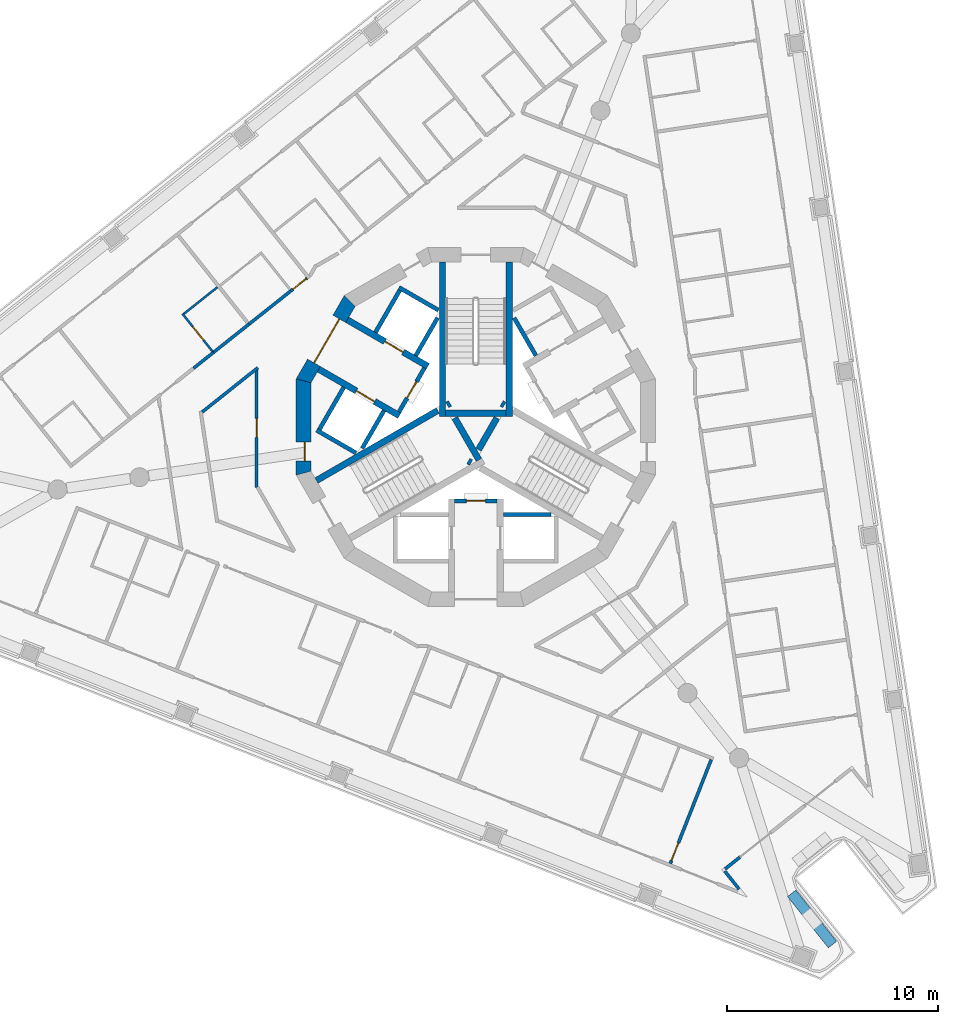
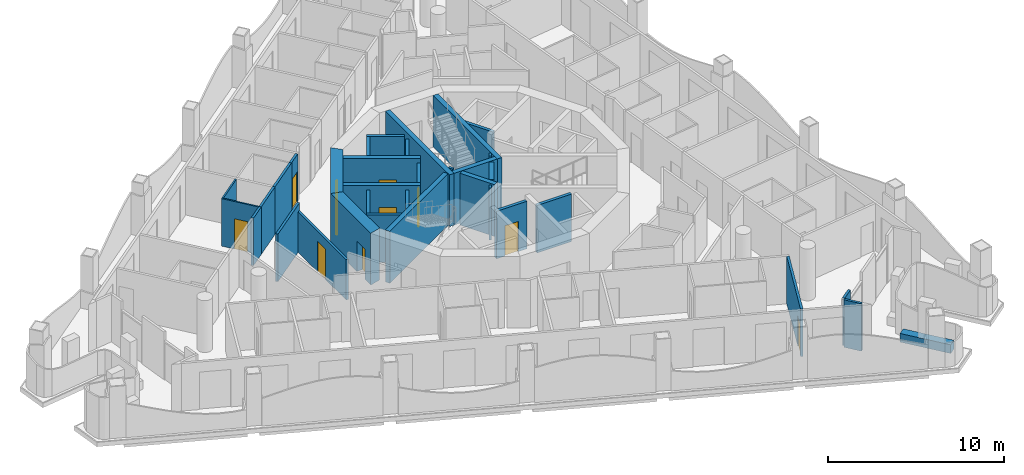
# One storey, part 4 of 17: 35 walls, 10 doors, 10 openings.
"""IFC4 building model written with IfcOpenShell, lengths in metres."""

from ifc_helpers import new_model, si_unit, direction, frame, frame_2d, origin, place, context, subcontext, project, spatial, polyline, rectangle, outline, extrude, material, layer, layer_set, type_object, element, fill, save


model = new_model("IFC4")

# Units and contexts
model_context = context("Model", 3, precision=1e-05, world=origin(), true_north=direction((0.0, 1.0)))
body_context = subcontext(model_context, "Body", "Model", "MODEL_VIEW")
ifc_project = project(units=[si_unit("LENGTHUNIT", "METRE"), si_unit("AREAUNIT", "SQUARE_METRE"), si_unit("VOLUMEUNIT", "CUBIC_METRE"), si_unit("PLANEANGLEUNIT", "RADIAN"), si_unit("MASSUNIT", "GRAM", prefix="KILO")], contexts=[model_context])

# Site, building, storey
site_placement = place(None, origin())
site = spatial("IfcSite", under=ifc_project, at=site_placement, CompositionType="ELEMENT")
building_placement = place(site_placement, origin())
building = spatial("IfcBuilding", under=site, at=building_placement, Name="Trine Commons Tower", CompositionType="ELEMENT")
storey_placement = place(building_placement, frame((0.0, 0.0, 212.39990234375)))
storey = spatial("IfcBuildingStorey", under=building, at=storey_placement, Name="L55", CompositionType="ELEMENT", Elevation=212.39990234375)

# Walls
ifc_material_1 = material(Name="Aluminium-framed insulated wall panel", Category="aluminium")
ifc_layer_1 = layer(ifc_material_1, 0.14990234375)
ifc_layer_set_1 = layer_set([ifc_layer_1], Name="Aluminium-framed insulated wall panel")
wall_type_1 = type_object("IfcWallType", Name="Glazed frame wall 150, EI 60", PredefinedType="SOLIDWALL", material=ifc_layer_set_1)
wall_1_placement = place(storey_placement, frame((92.493896484375, 42.134521484375, 0.0), z_axis=(0.0, 0.0, 1.0), x_axis=(-0.782628082779, -0.622489585492, 0.0)))
element("IfcWall", 1, at=wall_1_placement, inside=storey, type_object=wall_type_1, Name="Glazed frame wall P2.5", PredefinedType="SOLIDWALL", context=body_context, shape_type="SweptSolid", body=[
    extrude(outline(polyline([(0.889892578125, 0.074951171875), (0.0, 0.074951171875), (0.0, -0.074951171875), (0.889892578125, -0.074951171875), (0.889892578125, 0.074951171875)])), origin(), (0.0, 0.0, 1.0), 3.300048828125),
])
wall_2_placement = place(storey_placement, frame((91.716796875, 41.56103515625, 0.0), z_axis=(0.0, 0.0, 1.0), x_axis=(0.622611995912, -0.7825307039, 0.0)))
element("IfcWall", 2, at=wall_2_placement, inside=storey, type_object=wall_type_1, Name="Glazed frame wall R8", PredefinedType="SOLIDWALL", context=body_context, shape_type="SweptSolid", body=[
    extrude(outline(polyline([(0.110107421875, 0.074951171875), (0.110107421875, -0.074951171875), (1.19580078125, -0.074951171875), (1.19580078125, 0.074951171875), (0.110107421875, 0.074951171875)])), origin(), (0.0, 0.0, 1.0), 3.300048828125),
])

# Wall, opening, door
ifc_material_2 = material(Name="Fire-rated gypsum shaft wall system")
ifc_layer_2 = layer(ifc_material_2, 0.199951171875)
ifc_layer_set_2 = layer_set([ifc_layer_2], Name="Fire-rated gypsum shaft wall system")
wall_type_2 = type_object("IfcWallType", Name="Lobby end wall 200 mm, EI 120", PredefinedType="PARTITIONING", material=ifc_layer_set_2)
wall_3_placement = place(storey_placement, frame((77.569091796875, 65.2890625, 0.0), z_axis=(0.0, 0.0, 1.0), x_axis=(-0.50012165622, -0.865955154139, 0.0)))
wall_3 = element("IfcWall", 3, at=wall_3_placement, inside=storey, type_object=wall_type_2, Name="Lobby end wall L55", PredefinedType="PARTITIONING", context=body_context, shape_type="SweptSolid", body=[
    extrude(rectangle(XDim=2.39990234375, YDim=0.199951171875, at=frame_2d((1.199951171875, 0.0))), origin(), (0.0, 0.0, 1.0), 3.300048828125),
])
opening_1_placement = place(wall_3_placement, frame((0.749755859375, 0.0, 0.0)))
opening_1 = element("IfcOpeningElement", 4, at=opening_1_placement, cuts=wall_3, Name="Opening K15.07", PredefinedType="OPENING", context=body_context, shape_type="SweptSolid", body=[
    extrude(rectangle(XDim=0.89990234375, YDim=2.10009765625, at=frame_2d((0.449951171875, 1.050048828125))), frame((0.0, 0.10986328125, 0.0), z_axis=(0.0, -1.0, 0.0), x_axis=(1.0, 0.0, 0.0)), (0.0, 0.0, 1.0), 0.219970703125),
])
ifc_material_3 = material(Name="Steel door leaf, fire-rated", Category="steel")
door_type_1 = type_object("IfcDoorType", Name="Riser access door, single leaf 900 x 2100, FD60", OperationType="SINGLE_SWING_LEFT", PredefinedType="DOOR", material=ifc_material_3)
door_1_placement = place(opening_1_placement, frame((0.89990234375, 0.0, 0.0), z_axis=(0.0, 0.0, 1.0), x_axis=(-1.0, 0.0, 0.0)))
door_1 = element("IfcDoor", 5, at=door_1_placement, inside=storey, type_object=door_type_1, Name="Riser door, Mechanical riser L55", OperationType="SINGLE_SWING_RIGHT", OverallHeight=2.10009765625, OverallWidth=0.89990234375, PredefinedType="DOOR", context=body_context, shape_type="SweptSolid", body=[
    extrude(rectangle(XDim=0.89990234375, YDim=2.10009765625, at=frame_2d((0.449951171875, 1.050048828125))), frame((0.0, 0.02490234375, 0.0), z_axis=(0.0, -1.0, 0.0), x_axis=(1.0, 0.0, 0.0)), (0.0, 0.0, 1.0), 0.050048828125),
])
fill(opening_1, door_1)

wall_4_placement = place(storey_placement, frame((79.0, 59.0, 0.0), z_axis=(0.0, 0.0, 1.0), x_axis=(1.0, 0.0, 0.0)))
wall_4 = element("IfcWall", 6, at=wall_4_placement, inside=storey, type_object=wall_type_2, Name="Lobby end wall L55", PredefinedType="PARTITIONING", context=body_context, shape_type="SweptSolid", body=[
    extrude(rectangle(XDim=2.0, YDim=0.199951171875, at=frame_2d((1.0, 0.0))), origin(), (0.0, 0.0, 1.0), 3.300048828125),
])
opening_2_placement = place(wall_4_placement, frame((0.550048828125, 0.0, 0.0)))
opening_2 = element("IfcOpeningElement", 7, at=opening_2_placement, cuts=wall_4, Name="Opening K15.09", PredefinedType="OPENING", context=body_context, shape_type="SweptSolid", body=[
    extrude(rectangle(XDim=0.89990234375, YDim=2.10009765625, at=frame_2d((0.449951171875, 1.050048828125))), frame((0.0, 0.10986328125, 0.0), z_axis=(0.0, -1.0, 0.0), x_axis=(1.0, 0.0, 0.0)), (0.0, 0.0, 1.0), 0.219970703125),
])
door_2_placement = place(opening_2_placement, frame((0.89990234375, 0.0, 0.0), z_axis=(0.0, 0.0, 1.0), x_axis=(-1.0, 0.0, 0.0)))
door_2 = element("IfcDoor", 8, at=door_2_placement, inside=storey, type_object=door_type_1, Name="Riser door, Communications riser L55", OperationType="SINGLE_SWING_RIGHT", OverallHeight=2.10009765625, OverallWidth=0.89990234375, PredefinedType="DOOR", context=body_context, shape_type="SweptSolid", body=[
    extrude(rectangle(XDim=0.89990234375, YDim=2.10009765625, at=frame_2d((0.449951171875, 1.050048828125))), frame((0.0, 0.02490234375, 0.0), z_axis=(0.0, -1.0, 0.0), x_axis=(1.0, 0.0, 0.0)), (0.0, 0.0, 1.0), 0.050048828125),
])
fill(opening_2, door_2)

# Wall
ifc_material_4 = material(Name="Planter trough, precast concrete C40/50", Category="concrete")
ifc_layer_3 = layer(ifc_material_4, 0.5)
ifc_layer_set_3 = layer_set([ifc_layer_3], Name="Planter trough, precast concrete C40/50")
wall_type_3 = type_object("IfcWallType", Name="Planter trough 500x600", PredefinedType="PARAPET", material=ifc_layer_set_3)
wall_5_placement = place(storey_placement, frame((94.950439453125, 40.427490234375, 0.0), z_axis=(0.0, 0.0, 1.0), x_axis=(0.622550971161, -0.782579253691, 0.0)))
element("IfcWall", 9, at=wall_5_placement, inside=storey, type_object=wall_type_3, Name="Planter 9", PredefinedType="PARAPET", context=body_context, shape_type="SweptSolid", body=[
    extrude(rectangle(XDim=3.10009765625, YDim=0.5, at=frame_2d((1.550048828125, 0.0))), origin(), (0.0, 0.0, 1.0), 0.60009765625),
])

# Wall, opening, door
ifc_material_5 = material(Name="Concrete C60/75", Category="concrete")
ifc_layer_4 = layer(ifc_material_5, 0.300048828125)
ifc_layer_set_4 = layer_set([ifc_layer_4], Name="Concrete C60/75")
wall_type_4 = type_object("IfcWallType", Name="RC shear wall 300 mm, C60/75", PredefinedType="SHEAR", material=ifc_layer_set_4)
wall_6_placement = place(storey_placement, frame((76.381103515625, 63.031005859375, 0.0), z_axis=(0.0, 0.0, 1.0), x_axis=(-0.866059941101, 0.499940174841, 0.0)))
wall_6 = element("IfcWall", 10, at=wall_6_placement, inside=storey, type_object=wall_type_4, Name="Core cross wall SWC-01 L55", PredefinedType="SHEAR", context=body_context, shape_type="SweptSolid", body=[
    extrude(rectangle(XDim=4.400390625, YDim=0.300048828125, at=frame_2d((2.2001953125, 0.0))), origin(), (0.0, 0.0, 1.0), 3.60009765625),
])
opening_3_placement = place(wall_6_placement, frame((1.350341796875, 0.0, 0.0)))
opening_3 = element("IfcOpeningElement", 11, at=opening_3_placement, cuts=wall_6, Name="Opening LD7", PredefinedType="OPENING", context=body_context, shape_type="SweptSolid", body=[
    extrude(rectangle(XDim=1.0, YDim=2.10009765625, at=frame_2d((0.5, 1.050048828125))), frame((0.0, 0.159912109375, 0.0), z_axis=(0.0, -1.0, 0.0), x_axis=(1.0, 0.0, 0.0)), (0.0, 0.0, 1.0), 0.320068359375),
])
ifc_material_6 = material(Name="Stainless steel sliding door leaves", Category="steel")
door_type_2 = type_object("IfcDoorType", Name="Lift landing door, centre-opening sliding 1000 x 2100, FD90", OperationType="DOUBLE_DOOR_SLIDING", PredefinedType="DOOR", material=ifc_material_6)
door_3_placement = place(opening_3_placement, origin())
door_3 = element("IfcDoor", 12, at=door_3_placement, inside=storey, type_object=door_type_2, Name="Lift landing door HR3 L55", OperationType="DOUBLE_DOOR_SLIDING", OverallHeight=2.10009765625, OverallWidth=1.0, PredefinedType="DOOR", context=body_context, shape_type="SweptSolid", body=[
    extrude(rectangle(XDim=1.0, YDim=2.10009765625, at=frame_2d((0.5, 1.050048828125))), frame((0.0, 0.02490234375, 0.0), z_axis=(0.0, -1.0, 0.0), x_axis=(1.0, 0.0, 0.0)), (0.0, 0.0, 1.0), 0.050048828125),
])
fill(opening_3, door_3)

wall_7_placement = place(storey_placement, frame((77.73095703125, 65.368896484375, 0.0), z_axis=(0.0, 0.0, 1.0), x_axis=(-0.866035918664, 0.499981787252, 0.0)))
wall_7 = element("IfcWall", 13, at=wall_7_placement, inside=storey, type_object=wall_type_4, Name="Core cross wall SWC-02 L55", PredefinedType="SHEAR", context=body_context, shape_type="SweptSolid", body=[
    extrude(rectangle(XDim=4.400634765625, YDim=0.300048828125, at=frame_2d((2.2001953125, 0.0))), origin(), (0.0, 0.0, 1.0), 3.60009765625),
])
opening_4_placement = place(wall_7_placement, frame((1.3505859375, 0.0, 0.0)))
opening_4 = element("IfcOpeningElement", 14, at=opening_4_placement, cuts=wall_7, Name="Opening LD8", PredefinedType="OPENING", context=body_context, shape_type="SweptSolid", body=[
    extrude(rectangle(XDim=1.0, YDim=2.10009765625, at=frame_2d((0.5, 1.050048828125))), frame((0.0, 0.159912109375, 0.0), z_axis=(0.0, -1.0, 0.0), x_axis=(1.0, 0.0, 0.0)), (0.0, 0.0, 1.0), 0.320068359375),
])
door_4_placement = place(opening_4_placement, origin())
door_4 = element("IfcDoor", 15, at=door_4_placement, inside=storey, type_object=door_type_2, Name="Lift landing door HR4 L55", OperationType="DOUBLE_DOOR_SLIDING", OverallHeight=2.10009765625, OverallWidth=1.0, PredefinedType="DOOR", context=body_context, shape_type="SweptSolid", body=[
    extrude(rectangle(XDim=1.0, YDim=2.10009765625, at=frame_2d((0.5, 1.050048828125))), frame((0.0, 0.02490234375, 0.0), z_axis=(0.0, -1.0, 0.0), x_axis=(1.0, 0.0, 0.0)), (0.0, 0.0, 1.0), 0.050048828125),
])
fill(opening_4, door_4)

# Walls
wall_8_placement = place(storey_placement, frame((78.199951171875, 63.280029296875, 0.0), z_axis=(0.0, 0.0, 1.0), x_axis=(-0.866009627307, -0.500027324665, 0.0)))
element("IfcWall", 16, at=wall_8_placement, inside=storey, type_object=wall_type_4, Name="Core cross wall SWC-07 L55", PredefinedType="SHEAR", context=body_context, shape_type="SweptSolid", body=[
    extrude(rectangle(XDim=6.631591796875, YDim=0.300048828125, at=frame_2d((3.31591796875, 0.0))), origin(), (0.0, 0.0, 1.0), 3.60009765625),
])
wall_9_placement = place(storey_placement, frame((78.425048828125, 63.0009765625, 0.0), z_axis=(0.0, 0.0, 1.0), x_axis=(0.0, 1.0, 0.0)))
element("IfcWall", 17, at=wall_9_placement, inside=storey, type_object=wall_type_4, Name="Core cross wall SWC-08 L55", PredefinedType="SHEAR", context=body_context, shape_type="SweptSolid", body=[
    extrude(rectangle(XDim=7.299072265625, YDim=0.300048828125, at=frame_2d((3.6494140625, 0.0))), origin(), (0.0, 0.0, 1.0), 3.60009765625),
])
wall_10_placement = place(storey_placement, frame((78.779052734375, 63.614013671875, 0.0), z_axis=(0.0, 0.0, 1.0), x_axis=(-0.867737973955, -0.497021939713, 0.0)))
element("IfcWall", 18, at=wall_10_placement, inside=storey, type_object=wall_type_4, Name="Core cross wall SWC-09 L55", PredefinedType="SHEAR", context=body_context, shape_type="SweptSolid", body=[
    extrude(rectangle(XDim=0.14892578125, YDim=0.300048828125, at=frame_2d((0.074462890625, 0.0))), origin(), (0.0, 0.0, 1.0), 3.60009765625),
])
wall_11_placement = place(storey_placement, frame((79.0029296875, 62.926025390625, 0.0), z_axis=(0.0, 0.0, 1.0), x_axis=(0.499965247104, -0.866045467449, 0.0)))
element("IfcWall", 19, at=wall_11_placement, inside=storey, type_object=wall_type_4, Name="Core cross wall SWC-10 L55", PredefinedType="SHEAR", context=body_context, shape_type="SweptSolid", body=[
    extrude(rectangle(XDim=2.292236328125, YDim=0.300048828125, at=frame_2d((1.14599609375, 0.0))), origin(), (0.0, 0.0, 1.0), 3.60009765625),
])
wall_12_placement = place(storey_placement, frame((79.64599609375, 60.885986328125, 0.0), z_axis=(0.0, 0.0, 1.0), x_axis=(0.867331893649, -0.497730234424, 0.0)))
element("IfcWall", 20, at=wall_12_placement, inside=storey, type_object=wall_type_4, Name="Core cross wall SWC-11 L55", PredefinedType="SHEAR", context=body_context, shape_type="SweptSolid", body=[
    extrude(rectangle(XDim=0.148681640625, YDim=0.300048828125, at=frame_2d((0.07421875, 0.0))), origin(), (0.0, 0.0, 1.0), 3.60009765625),
])
wall_13_placement = place(storey_placement, frame((80.1298828125, 61.424072265625, 0.0), z_axis=(0.0, 0.0, 1.0), x_axis=(0.500014901547, 0.866016800201, 0.0)))
element("IfcWall", 21, at=wall_13_placement, inside=storey, type_object=wall_type_4, Name="Core cross wall SWC-12 L55", PredefinedType="SHEAR", context=body_context, shape_type="SweptSolid", body=[
    extrude(rectangle(XDim=1.734375, YDim=0.300048828125, at=frame_2d((0.8671875, 0.0))), origin(), (0.0, 0.0, 1.0), 3.60009765625),
])
wall_14_placement = place(storey_placement, frame((81.220947265625, 63.614013671875, 0.0), z_axis=(0.0, 0.0, 1.0), x_axis=(0.867737973955, -0.497021939713, 0.0)))
element("IfcWall", 22, at=wall_14_placement, inside=storey, type_object=wall_type_4, Name="Core cross wall SWC-15 L55", PredefinedType="SHEAR", context=body_context, shape_type="SweptSolid", body=[
    extrude(rectangle(XDim=0.14892578125, YDim=0.300048828125, at=frame_2d((0.074462890625, 0.0))), origin(), (0.0, 0.0, 1.0), 3.60009765625),
])
wall_15_placement = place(storey_placement, frame((81.425048828125, 63.15087890625, 0.0), z_axis=(0.0, 0.0, 1.0), x_axis=(-1.0, 0.0, 0.0)))
element("IfcWall", 23, at=wall_15_placement, inside=storey, type_object=wall_type_4, Name="Core cross wall SWC-16 L55", PredefinedType="SHEAR", context=body_context, shape_type="SweptSolid", body=[
    extrude(rectangle(XDim=2.85009765625, YDim=0.300048828125, at=frame_2d((1.425048828125, 0.0))), origin(), (0.0, 0.0, 1.0), 3.60009765625),
])
wall_16_placement = place(storey_placement, frame((81.574951171875, 63.0009765625, 0.0), z_axis=(0.0, 0.0, 1.0), x_axis=(0.0, 1.0, 0.0)))
element("IfcWall", 24, at=wall_16_placement, inside=storey, type_object=wall_type_4, Name="Core cross wall SWC-17 L55", PredefinedType="SHEAR", context=body_context, shape_type="SweptSolid", body=[
    extrude(rectangle(XDim=7.299072265625, YDim=0.300048828125, at=frame_2d((3.6494140625, 0.0))), origin(), (0.0, 0.0, 1.0), 3.60009765625),
])

# Wall, opening, door
ifc_layer_5 = layer(ifc_material_5, 0.699951171875)
ifc_layer_set_5 = layer_set([ifc_layer_5], Name="Concrete C60/75")
wall_type_5 = type_object("IfcWallType", Name="RC shear wall 700 mm, C60/75", PredefinedType="SHEAR", material=ifc_layer_set_5)
wall_17_placement = place(storey_placement, frame((74.08056640625, 68.547607421875, 0.0), z_axis=(0.0, 0.0, 1.0), x_axis=(-0.499983800959, -0.866034756103, 0.0)))
wall_17 = element("IfcWall", 25, at=wall_17_placement, inside=storey, type_object=wall_type_5, Name="Core wall CWF-06 L55", PredefinedType="SHEAR", context=body_context, shape_type="SweptSolid", body=[
    extrude(outline(polyline([(0.0, -0.35009765625), (4.55517578125, -0.35009765625), (4.36767578125, 0.35009765625), (0.1875, 0.35009765625), (0.0, -0.35009765625)])), origin(), (0.0, 0.0, 1.0), 3.60009765625),
])
opening_5_placement = place(wall_17_placement, frame((1.077392578125, 0.0, 0.0)))
opening_5 = element("IfcOpeningElement", 26, at=opening_5_placement, cuts=wall_17, Name="Opening K15.06", PredefinedType="OPENING", context=body_context, shape_type="SweptSolid", body=[
    extrude(rectangle(XDim=2.39990234375, YDim=2.10009765625, at=frame_2d((1.199951171875, 1.050048828125))), frame((0.0, 0.35986328125, 0.0), z_axis=(0.0, -1.0, 0.0), x_axis=(1.0, 0.0, 0.0)), (0.0, 0.0, 1.0), 0.719970703125),
])
ifc_material_7 = material(Name="Steel door leaves, fire-rated", Category="steel")
door_type_3 = type_object("IfcDoorType", Name="Lobby door, double leaf 2400 x 2100, FD60", OperationType="DOUBLE_DOOR_SINGLE_SWING", PredefinedType="DOOR", material=ifc_material_7)
door_5_placement = place(opening_5_placement, origin())
door_5 = element("IfcDoor", 27, at=door_5_placement, inside=storey, type_object=door_type_3, Name="Lobby door, Passenger lift lobby B L55", OperationType="DOUBLE_DOOR_SINGLE_SWING", OverallHeight=2.10009765625, OverallWidth=2.39990234375, PredefinedType="DOOR", context=body_context, shape_type="SweptSolid", body=[
    extrude(rectangle(XDim=2.39990234375, YDim=2.10009765625, at=frame_2d((1.199951171875, 1.050048828125))), frame((0.0, 0.02490234375, 0.0), z_axis=(0.0, -1.0, 0.0), x_axis=(1.0, 0.0, 0.0)), (0.0, 0.0, 1.0), 0.050048828125),
])
fill(opening_5, door_5)

wall_18_placement = place(storey_placement, frame((71.849853515625, 64.777587890625, 0.0), z_axis=(0.0, 0.0, 1.0), x_axis=(0.0, -1.0, 0.0)))
wall_18 = element("IfcWall", 28, at=wall_18_placement, inside=storey, type_object=wall_type_5, Name="Core wall CWF-07 L55", PredefinedType="SHEAR", context=body_context, shape_type="SweptSolid", body=[
    extrude(outline(polyline([(0.0, -0.35009765625), (4.55517578125, -0.35009765625), (4.36767578125, 0.35009765625), (0.1875, 0.35009765625), (0.0, -0.35009765625)])), origin(), (0.0, 0.0, 1.0), 3.60009765625),
])
opening_6_placement = place(wall_18_placement, frame((2.99169921875, 0.0, 0.0)))
opening_6 = element("IfcOpeningElement", 29, at=opening_6_placement, cuts=wall_18, Name="Opening K15.16", PredefinedType="OPENING", context=body_context, shape_type="SweptSolid", body=[
    extrude(rectangle(XDim=0.89990234375, YDim=2.10009765625, at=frame_2d((0.449951171875, 1.050048828125))), frame((0.0, 0.35986328125, 0.0), z_axis=(0.0, -1.0, 0.0), x_axis=(1.0, 0.0, 0.0)), (0.0, 0.0, 1.0), 0.719970703125),
])
door_type_4 = type_object("IfcDoorType", Name="Core room door, single leaf 900 x 2100, FD30S", OperationType="SINGLE_SWING_LEFT", PredefinedType="DOOR", material=ifc_material_3)
door_6_placement = place(opening_6_placement, origin())
door_6 = element("IfcDoor", 30, at=door_6_placement, inside=storey, type_object=door_type_4, Name="Door to Pantry L55", OperationType="SINGLE_SWING_RIGHT", OverallHeight=2.10009765625, OverallWidth=0.89990234375, PredefinedType="DOOR", context=body_context, shape_type="SweptSolid", body=[
    extrude(rectangle(XDim=0.89990234375, YDim=2.10009765625, at=frame_2d((0.449951171875, 1.050048828125))), frame((0.0, 0.0751953125, 0.0), z_axis=(0.0, -1.0, 0.0), x_axis=(1.0, 0.0, 0.0)), (0.0, 0.0, 1.0), 0.050048828125),
])
fill(opening_6, door_6)

# Walls
ifc_layer_6 = layer(ifc_material_2, 0.199951171875)
ifc_layer_set_6 = layer_set([ifc_layer_6], Name="Fire-rated gypsum shaft wall system")
wall_type_6 = type_object("IfcWallType", Name="Shaft wall 200 mm, EI 120", PredefinedType="PARTITIONING", material=ifc_layer_set_6)
wall_19_placement = place(storey_placement, frame((73.7509765625, 64.3759765625, 0.0), z_axis=(0.0, 0.0, 1.0), x_axis=(-0.500136062276, -0.86594683394, 0.0)))
element("IfcWall", 31, at=wall_19_placement, inside=storey, type_object=wall_type_6, Name="Shaft wall L55", PredefinedType="PARTITIONING", context=body_context, shape_type="SweptSolid", body=[
    extrude(rectangle(XDim=2.299072265625, YDim=0.199951171875, at=frame_2d((1.1494140625, 0.0))), origin(), (0.0, 0.0, 1.0), 3.300048828125),
])
wall_20_placement = place(storey_placement, frame((74.324951171875, 61.27392578125, 0.0), z_axis=(0.0, 0.0, 1.0), x_axis=(-0.866102336459, 0.499866725018, 0.0)))
element("IfcWall", 32, at=wall_20_placement, inside=storey, type_object=wall_type_6, Name="Shaft wall L55", PredefinedType="PARTITIONING", context=body_context, shape_type="SweptSolid", body=[
    extrude(rectangle(XDim=2.1484375, YDim=0.199951171875, at=frame_2d((1.07421875, 0.0))), origin(), (0.0, 0.0, 1.0), 3.300048828125),
])
wall_21_placement = place(storey_placement, frame((75.2509765625, 66.97412109375, 0.0), z_axis=(0.0, 0.0, 1.0), x_axis=(0.500136062276, 0.86594683394, 0.0)))
element("IfcWall", 33, at=wall_21_placement, inside=storey, type_object=wall_type_6, Name="Shaft wall L55", PredefinedType="PARTITIONING", context=body_context, shape_type="SweptSolid", body=[
    extrude(rectangle(XDim=2.299072265625, YDim=0.199951171875, at=frame_2d((1.1494140625, 0.0))), origin(), (0.0, 0.0, 1.0), 3.300048828125),
])
wall_22_placement = place(storey_placement, frame((75.656005859375, 63.27587890625, 0.0), z_axis=(0.0, 0.0, 1.0), x_axis=(-0.500271688072, -0.86586848777, 0.0)))
element("IfcWall", 34, at=wall_22_placement, inside=storey, type_object=wall_type_6, Name="Shaft wall L55", PredefinedType="PARTITIONING", context=body_context, shape_type="SweptSolid", body=[
    extrude(rectangle(XDim=2.064697265625, YDim=0.199951171875, at=frame_2d((1.0322265625, 0.0))), origin(), (0.0, 0.0, 1.0), 3.300048828125),
])
wall_23_placement = place(storey_placement, frame((77.156005859375, 65.8740234375, 0.0), z_axis=(0.0, 0.0, 1.0), x_axis=(0.499865770674, 0.866102887253, 0.0)))
element("IfcWall", 35, at=wall_23_placement, inside=storey, type_object=wall_type_6, Name="Shaft wall L55", PredefinedType="PARTITIONING", context=body_context, shape_type="SweptSolid", body=[
    extrude(rectangle(XDim=2.064453125, YDim=0.199951171875, at=frame_2d((1.0322265625, 0.0))), origin(), (0.0, 0.0, 1.0), 3.300048828125),
])
wall_24_placement = place(storey_placement, frame((78.22509765625, 68.028076171875, 0.0), z_axis=(0.0, 0.0, 1.0), x_axis=(-0.866130725101, 0.499817533742, 0.0)))
element("IfcWall", 36, at=wall_24_placement, inside=storey, type_object=wall_type_6, Name="Shaft wall L55", PredefinedType="PARTITIONING", context=body_context, shape_type="SweptSolid", body=[
    extrude(rectangle(XDim=2.148681640625, YDim=0.199951171875, at=frame_2d((1.07421875, 0.0))), origin(), (0.0, 0.0, 1.0), 3.300048828125),
])
wall_25_placement = place(storey_placement, frame((81.300048828125, 58.35009765625, 0.0), z_axis=(0.0, 0.0, 1.0), x_axis=(1.0, 0.0, 0.0)))
element("IfcWall", 37, at=wall_25_placement, inside=storey, type_object=wall_type_6, Name="Shaft wall L55", PredefinedType="PARTITIONING", context=body_context, shape_type="SweptSolid", body=[
    extrude(rectangle(XDim=2.264892578125, YDim=0.199951171875, at=frame_2d((1.13232421875, 0.0))), origin(), (0.0, 0.0, 1.0), 3.300048828125),
])
wall_26_placement = place(storey_placement, frame((82.843994140625, 65.8740234375, 0.0), z_axis=(0.0, 0.0, 1.0), x_axis=(-0.499865770674, 0.866102887253, 0.0)))
element("IfcWall", 38, at=wall_26_placement, inside=storey, type_object=wall_type_6, Name="Shaft wall L55", PredefinedType="PARTITIONING", context=body_context, shape_type="SweptSolid", body=[
    extrude(rectangle(XDim=2.064453125, YDim=0.199951171875, at=frame_2d((1.0322265625, 0.0))), origin(), (0.0, 0.0, 1.0), 3.300048828125),
])
ifc_material_8 = material(Name="Gypsum plasterboard on steel stud", Category="steel")
ifc_layer_7 = layer(ifc_material_8, 0.14990234375)
ifc_layer_set_7 = layer_set([ifc_layer_7], Name="Gypsum plasterboard on steel stud")
wall_type_7 = type_object("IfcWallType", Name="Unit and corridor wall 150 mm, EI 60", PredefinedType="PARTITIONING", material=ifc_layer_set_7)
wall_27_placement = place(storey_placement, frame((66.64306640625, 65.280029296875, 0.0), z_axis=(0.0, 0.0, 1.0), x_axis=(0.782795232177, 0.622279378158, 0.0)))
element("IfcWall", 39, at=wall_27_placement, inside=storey, type_object=wall_type_7, Name="Partition 023", PredefinedType="PARTITIONING", context=body_context, shape_type="SweptSolid", body=[
    extrude(rectangle(XDim=1.197021484375, YDim=0.14990234375, at=frame_2d((0.5986328125, 0.0))), origin(), (0.0, 0.0, 1.0), 3.300048828125),
])
wall_28_placement = place(storey_placement, frame((67.0498046875, 63.206787109375, 0.0), z_axis=(0.0, 0.0, 1.0), x_axis=(0.782472540885, 0.622685091166, 0.0)))
element("IfcWall", 40, at=wall_28_placement, inside=storey, type_object=wall_type_7, Name="Partition 025", PredefinedType="PARTITIONING", context=body_context, shape_type="SweptSolid", body=[
    extrude(rectangle(XDim=3.365966796875, YDim=0.14990234375, at=frame_2d((1.68310546875, 0.0))), origin(), (0.0, 0.0, 1.0), 3.300048828125),
])
wall_29_placement = place(storey_placement, frame((67.573974609375, 66.02099609375, 0.0), z_axis=(0.0, 0.0, 1.0), x_axis=(0.782929257376, 0.622110744116, 0.0)))
element("IfcWall", 41, at=wall_29_placement, inside=storey, type_object=wall_type_7, Name="Partition 026", PredefinedType="PARTITIONING", context=body_context, shape_type="SweptSolid", body=[
    extrude(rectangle(XDim=2.1572265625, YDim=0.14990234375, at=frame_2d((1.07861328125, 0.0))), origin(), (0.0, 0.0, 1.0), 3.300048828125),
])
wall_30_placement = place(storey_placement, frame((69.257080078125, 67.35888671875, 0.0), z_axis=(0.0, 0.0, 1.0), x_axis=(0.783010279593, 0.622008763646, 0.0)))
element("IfcWall", 42, at=wall_30_placement, inside=storey, type_object=wall_type_7, Name="Partition 031", PredefinedType="PARTITIONING", context=body_context, shape_type="SweptSolid", body=[
    extrude(rectangle(XDim=2.608154296875, YDim=0.14990234375, at=frame_2d((1.30419921875, 0.0))), origin(), (0.0, 0.0, 1.0), 3.300048828125),
])

# Wall, opening, door
wall_31_placement = place(storey_placement, frame((69.625, 59.64501953125, 0.0), z_axis=(0.0, 0.0, 1.0), x_axis=(0.0, 1.0, 0.0)))
wall_31 = element("IfcWall", 43, at=wall_31_placement, inside=storey, type_object=wall_type_7, Name="Partition 032", PredefinedType="PARTITIONING", context=body_context, shape_type="SweptSolid", body=[
    extrude(rectangle(XDim=5.5400390625, YDim=0.14990234375, at=frame_2d((2.77001953125, 0.0))), origin(), (0.0, 0.0, 1.0), 2.800048828125),
])
opening_7_placement = place(wall_31_placement, frame((2.357421875, 0.0, 0.0)))
opening_7 = element("IfcOpeningElement", 44, at=opening_7_placement, cuts=wall_31, Name="Opening D-6B28", PredefinedType="OPENING", context=body_context, shape_type="SweptSolid", body=[
    extrude(rectangle(XDim=0.89990234375, YDim=2.10009765625, at=frame_2d((0.449951171875, 1.050048828125))), frame((0.0, 0.0849609375, 0.0), z_axis=(0.0, -1.0, 0.0), x_axis=(1.0, 0.0, 0.0)), (0.0, 0.0, 1.0), 0.169921875),
])
ifc_material_9 = material(Name="Timber fire door set", Category="wood")
door_type_5 = type_object("IfcDoorType", Name="Service door 900 x 2100, FD30S", OperationType="NOTDEFINED", PredefinedType="DOOR", material=ifc_material_9)
door_7_placement = place(opening_7_placement, origin())
door_7 = element("IfcDoor", 45, at=door_7_placement, inside=storey, type_object=door_type_5, Name="Door D-6B28", OperationType="SINGLE_SWING_RIGHT", OverallHeight=2.10009765625, OverallWidth=0.89990234375, PredefinedType="DOOR", context=body_context, shape_type="SweptSolid", body=[
    extrude(rectangle(XDim=0.89990234375, YDim=2.10009765625, at=frame_2d((0.449951171875, 1.050048828125))), frame((0.0, 0.02490234375, 0.0), z_axis=(0.0, -1.0, 0.0), x_axis=(1.0, 0.0, 0.0)), (0.0, 0.0, 1.0), 0.050048828125),
])
fill(opening_7, door_7)

wall_32_placement = place(storey_placement, frame((71.25390625, 68.946044921875, 0.0), z_axis=(0.0, 0.0, 1.0), x_axis=(0.783154240539, 0.621827496598, 0.0)))
wall_32 = element("IfcWall", 46, at=wall_32_placement, inside=storey, type_object=wall_type_7, Name="Partition 036", PredefinedType="PARTITIONING", context=body_context, shape_type="SweptSolid", body=[
    extrude(rectangle(XDim=0.967041015625, YDim=0.14990234375, at=frame_2d((0.4833984375, 0.0))), origin(), (0.0, 0.0, 1.0), 3.300048828125),
])
opening_8_placement = place(wall_32_placement, frame((0.116943359375, 0.0, 0.0)))
opening_8 = element("IfcOpeningElement", 47, at=opening_8_placement, cuts=wall_32, Name="Opening D-6B07", PredefinedType="OPENING", context=body_context, shape_type="SweptSolid", body=[
    extrude(rectangle(XDim=0.800048828125, YDim=2.10009765625, at=frame_2d((0.39990234375, 1.050048828125))), frame((0.0, 0.0849609375, 0.0), z_axis=(0.0, -1.0, 0.0), x_axis=(1.0, 0.0, 0.0)), (0.0, 0.0, 1.0), 0.169921875),
])
door_type_6 = type_object("IfcDoorType", Name="Bedroom door 800 x 2100, FD30S", OperationType="NOTDEFINED", PredefinedType="DOOR", material=ifc_material_9)
door_8_placement = place(opening_8_placement, origin())
door_8 = element("IfcDoor", 48, at=door_8_placement, inside=storey, type_object=door_type_6, Name="Door D-6B07", OperationType="SINGLE_SWING_RIGHT", OverallHeight=2.10009765625, OverallWidth=0.800048828125, PredefinedType="DOOR", context=body_context, shape_type="SweptSolid", body=[
    extrude(rectangle(XDim=0.800048828125, YDim=2.10009765625, at=frame_2d((0.39990234375, 1.050048828125))), frame((0.0, 0.02490234375, 0.0), z_axis=(0.0, -1.0, 0.0), x_axis=(1.0, 0.0, 0.0)), (0.0, 0.0, 1.0), 0.050048828125),
])
fill(opening_8, door_8)

wall_33_placement = place(storey_placement, frame((89.20458984375, 41.838134765625, 0.0), z_axis=(0.0, 0.0, 1.0), x_axis=(0.366526942071, 0.930407438027, 0.0)))
wall_33 = element("IfcWall", 49, at=wall_33_placement, inside=storey, type_object=wall_type_7, Name="Partition 113", PredefinedType="PARTITIONING", context=body_context, shape_type="SweptSolid", body=[
    extrude(rectangle(XDim=5.28466796875, YDim=0.14990234375, at=frame_2d((2.642333984375, 0.0))), origin(), (0.0, 0.0, 1.0), 3.300048828125),
])
opening_9_placement = place(wall_33_placement, frame((0.14990234375, 0.0, 0.0)))
opening_9 = element("IfcOpeningElement", 50, at=opening_9_placement, cuts=wall_33, Name="Opening D-6B21", PredefinedType="OPENING", context=body_context, shape_type="SweptSolid", body=[
    extrude(rectangle(XDim=0.89990234375, YDim=2.10009765625, at=frame_2d((0.449951171875, 1.050048828125))), frame((0.0, 0.0849609375, 0.0), z_axis=(0.0, -1.0, 0.0), x_axis=(1.0, 0.0, 0.0)), (0.0, 0.0, 1.0), 0.169921875),
])
door_type_7 = type_object("IfcDoorType", Name="Bedroom door 900 x 2100, FD30S", OperationType="NOTDEFINED", PredefinedType="DOOR", material=ifc_material_9)
door_9_placement = place(opening_9_placement, origin())
door_9 = element("IfcDoor", 51, at=door_9_placement, inside=storey, type_object=door_type_7, Name="Door D-6B21", OperationType="SINGLE_SWING_LEFT", OverallHeight=2.10009765625, OverallWidth=0.89990234375, PredefinedType="DOOR", context=body_context, shape_type="SweptSolid", body=[
    extrude(rectangle(XDim=0.89990234375, YDim=2.10009765625, at=frame_2d((0.449951171875, 1.050048828125))), frame((0.0, 0.02490234375, 0.0), z_axis=(0.0, -1.0, 0.0), x_axis=(1.0, 0.0, 0.0)), (0.0, 0.0, 1.0), 0.050048828125),
])
fill(opening_9, door_9)

ifc_layer_8 = layer(ifc_material_8, 0.10009765625)
ifc_layer_set_8 = layer_set([ifc_layer_8], Name="Gypsum plasterboard on steel stud")
wall_type_8 = type_object("IfcWallType", Name="Unit partition 100 mm, no rating", PredefinedType="PARTITIONING", material=ifc_layer_set_8)
wall_34_placement = place(storey_placement, frame((66.114013671875, 67.862060546875, 0.0), z_axis=(0.0, 0.0, 1.0), x_axis=(0.622513442911, -0.782609106384, 0.0)))
wall_34 = element("IfcWall", 52, at=wall_34_placement, inside=storey, type_object=wall_type_8, Name="Partition 020", PredefinedType="PARTITIONING", context=body_context, shape_type="SweptSolid", body=[
    extrude(rectangle(XDim=2.349853515625, YDim=0.10009765625, at=frame_2d((1.1748046875, 0.0))), origin(), (0.0, 0.0, 1.0), 3.300048828125),
])
opening_10_placement = place(wall_34_placement, frame((0.800048828125, 0.0, 0.0)))
opening_10 = element("IfcOpeningElement", 53, at=opening_10_placement, cuts=wall_34, Name="Opening D-6B36", PredefinedType="OPENING", context=body_context, shape_type="SweptSolid", body=[
    extrude(rectangle(XDim=0.800048828125, YDim=2.10009765625, at=frame_2d((0.39990234375, 1.050048828125))), frame((0.0, 0.06005859375, 0.0), z_axis=(0.0, -1.0, 0.0), x_axis=(1.0, 0.0, 0.0)), (0.0, 0.0, 1.0), 0.1201171875),
])
ifc_material_10 = material(Name="Painted timber", Category="wood")
door_type_8 = type_object("IfcDoorType", Name="Internal door 800 x 2100, NOT RATED", OperationType="NOTDEFINED", PredefinedType="DOOR", material=ifc_material_10)
door_10_placement = place(opening_10_placement, frame((0.800048828125, 0.0, 0.0), z_axis=(0.0, 0.0, 1.0), x_axis=(-1.0, 0.0, 0.0)))
door_10 = element("IfcDoor", 54, at=door_10_placement, inside=storey, type_object=door_type_8, Name="Door D-6B36", OperationType="SINGLE_SWING_LEFT", OverallHeight=2.10009765625, OverallWidth=0.800048828125, PredefinedType="DOOR", context=body_context, shape_type="SweptSolid", body=[
    extrude(rectangle(XDim=0.800048828125, YDim=2.10009765625, at=frame_2d((0.39990234375, 1.050048828125))), frame((0.0, 0.02490234375, 0.0), z_axis=(0.0, -1.0, 0.0), x_axis=(1.0, 0.0, 0.0)), (0.0, 0.0, 1.0), 0.050048828125),
])
fill(opening_10, door_10)

# Wall
wall_35_placement = place(storey_placement, frame((66.18408203125, 67.85400390625, 0.0), z_axis=(0.0, 0.0, 1.0), x_axis=(0.782770551169, 0.622310424324, 0.0)))
element("IfcWall", 55, at=wall_35_placement, inside=storey, type_object=wall_type_8, Name="Partition 021", PredefinedType="PARTITIONING", context=body_context, shape_type="SweptSolid", body=[
    extrude(rectangle(XDim=2.025146484375, YDim=0.10009765625, at=frame_2d((1.0126953125, 0.0))), origin(), (0.0, 0.0, 1.0), 3.300048828125),
])

save(model, "model.ifc")
